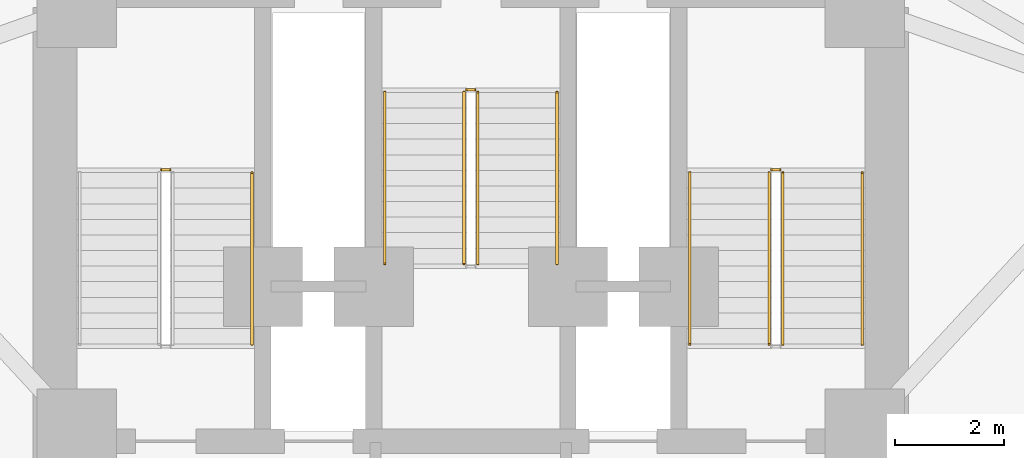
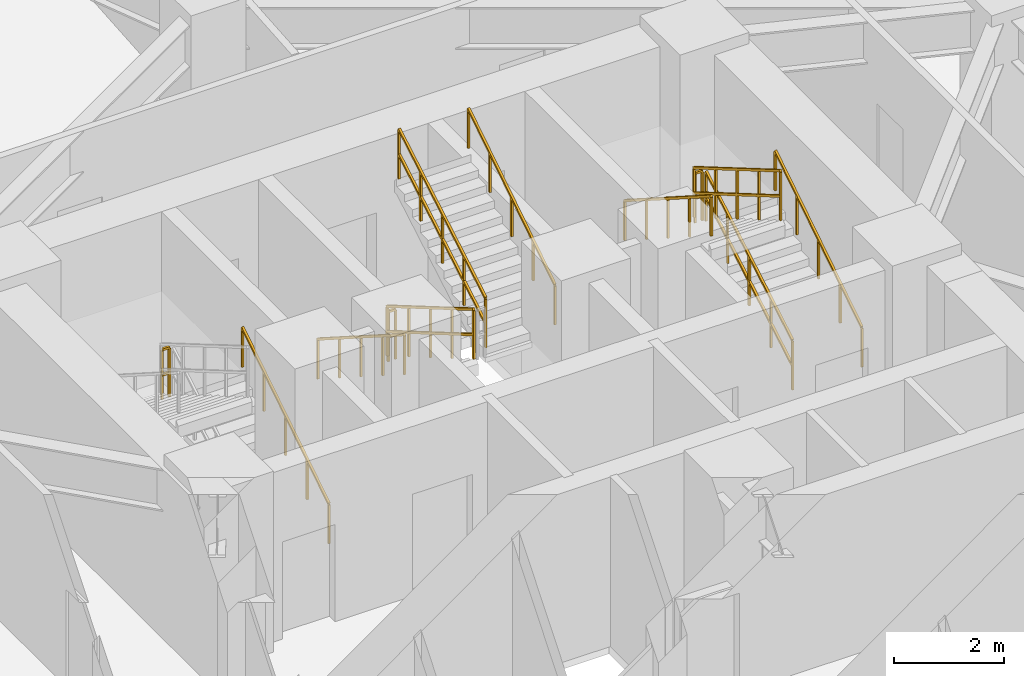
# One storey, part 13 of 14: 12 railings.
"""IFC4 building model written with IfcOpenShell, lengths in metres."""

from ifc_helpers import new_model, si_unit, direction, frame, origin, origin_2d, place, context, subcontext, project, spatial, rectangle, extrude, material, type_object, element, save


model = new_model("IFC4")

# Units and contexts
model_context = context("Model", 3, precision=1e-05, world=origin(), true_north=direction((0.0, 1.0)))
body_context = subcontext(model_context, "Body", "Model", "MODEL_VIEW")
ifc_project = project(units=[si_unit("LENGTHUNIT", "METRE"), si_unit("AREAUNIT", "SQUARE_METRE"), si_unit("VOLUMEUNIT", "CUBIC_METRE"), si_unit("PLANEANGLEUNIT", "RADIAN"), si_unit("MASSUNIT", "GRAM", prefix="KILO")], contexts=[model_context])

# Site, building, storey
site_placement = place(None, origin())
site = spatial("IfcSite", under=ifc_project, at=site_placement, CompositionType="ELEMENT")
building_placement = place(site_placement, origin())
building = spatial("IfcBuilding", under=site, at=building_placement, Name="Apsidion Concourse Tower", CompositionType="ELEMENT")
storey_placement = place(building_placement, frame((0.0, 0.0, 79.0)))
storey = spatial("IfcBuildingStorey", under=building, at=storey_placement, Name="L17", CompositionType="ELEMENT", Elevation=79.0)

# Railings
ifc_material = material(Name="Brushed stainless steel 316", Category="steel")
railing_type_1 = type_object("IfcRailingType", Name="RL-GUARD-1100", PredefinedType="GUARDRAIL", material=ifc_material)
railing_1_placement = place(storey_placement, frame((-5.5, 6.18505859375, 2.0)))
element("IfcRailing", 1, at=railing_1_placement, inside=storey, type_object=railing_type_1, Name="L17 ST1 stair guard 2", PredefinedType="GUARDRAIL", context=body_context, shape_type="SweptSolid", body=[
    extrude(rectangle(XDim=0.048095703125, YDim=0.048095703125, at=origin_2d()), frame((0.0, 0.0, 1.09619140625), z_axis=(-1.0, 0.0, 0.0), x_axis=(0.0, -1.0, 0.0)), (0.0, 0.0, 1.0), 0.14990234375),
    extrude(rectangle(XDim=0.048095703125, YDim=0.048095703125, at=origin_2d()), frame((0.0, 0.0, 0.5361328125), z_axis=(-1.0, 0.0, 0.0), x_axis=(0.0, -1.0, 0.0)), (0.0, 0.0, 1.0), 0.14990234375),
    extrude(rectangle(XDim=0.0419921875, YDim=0.0419921875, at=origin_2d()), origin(), (0.0, 0.0, 1.0), 1.072021484375),
    extrude(rectangle(XDim=0.0419921875, YDim=0.0419921875, at=origin_2d()), frame((-0.14990234375, 0.0, 0.0)), (0.0, 0.0, 1.0), 1.072021484375),
])
railing_2_placement = place(storey_placement, frame((5.699951171875, 3.0, 0.166748046875)))
element("IfcRailing", 2, at=railing_2_placement, inside=storey, type_object=railing_type_1, Name="L17 ST2 stair guard 1", PredefinedType="GUARDRAIL", context=body_context, shape_type="SweptSolid", body=[
    extrude(rectangle(XDim=0.048095703125, YDim=0.048095703125, at=origin_2d()), frame((0.0, 0.0, 1.09619140625), z_axis=(0.0, 0.863239559939, 0.504794475164), x_axis=(-1.0, 0.0, 0.0)), (0.0, 0.0, 1.0), 3.631591796875),
    extrude(rectangle(XDim=0.048095703125, YDim=0.048095703125, at=origin_2d()), frame((0.0, 0.0, 0.5361328125), z_axis=(0.0, 0.863239559939, 0.504794475164), x_axis=(-1.0, 0.0, 0.0)), (0.0, 0.0, 1.0), 3.631591796875),
    extrude(rectangle(XDim=0.0419921875, YDim=0.0419921875, at=origin_2d()), origin(), (0.0, 0.0, 1.0), 1.072021484375),
    extrude(rectangle(XDim=0.0419921875, YDim=0.0419921875, at=origin_2d()), frame((0.0, 0.78369140625, 0.458251953125)), (0.0, 0.0, 1.0), 1.072021484375),
    extrude(rectangle(XDim=0.0419921875, YDim=0.0419921875, at=origin_2d()), frame((0.0, 1.5673828125, 0.91650390625)), (0.0, 0.0, 1.0), 1.072021484375),
    extrude(rectangle(XDim=0.0419921875, YDim=0.0419921875, at=origin_2d()), frame((0.0, 2.351318359375, 1.375)), (0.0, 0.0, 1.0), 1.072021484375),
    extrude(rectangle(XDim=0.0419921875, YDim=0.0419921875, at=origin_2d()), frame((0.0, 3.135009765625, 1.833251953125)), (0.0, 0.0, 1.0), 1.072021484375),
])
railing_3_placement = place(storey_placement, frame((5.64990234375, 6.18505859375, 2.0)))
element("IfcRailing", 3, at=railing_3_placement, inside=storey, type_object=railing_type_1, Name="L17 ST2 stair guard 2", PredefinedType="GUARDRAIL", context=body_context, shape_type="SweptSolid", body=[
    extrude(rectangle(XDim=0.048095703125, YDim=0.048095703125, at=origin_2d()), frame((0.0, 0.0, 1.09619140625), z_axis=(-1.0, 0.0, 0.0), x_axis=(0.0, -1.0, 0.0)), (0.0, 0.0, 1.0), 0.14990234375),
    extrude(rectangle(XDim=0.048095703125, YDim=0.048095703125, at=origin_2d()), frame((0.0, 0.0, 0.5361328125), z_axis=(-1.0, 0.0, 0.0), x_axis=(0.0, -1.0, 0.0)), (0.0, 0.0, 1.0), 0.14990234375),
    extrude(rectangle(XDim=0.0419921875, YDim=0.0419921875, at=origin_2d()), origin(), (0.0, 0.0, 1.0), 1.072021484375),
    extrude(rectangle(XDim=0.0419921875, YDim=0.0419921875, at=origin_2d()), frame((-0.14990234375, 0.0, 0.0)), (0.0, 0.0, 1.0), 1.072021484375),
])
for number, where, name in (
    (4, (5.449951171875, 6.135009765625, 2.166748046875), "L17 ST2 stair guard 3"),
    (5, (-0.125, 7.60009765625, 0.166748046875), "L17 ST3 stair guard 1"),
):
    element("IfcRailing", number, at=place(storey_placement, frame(where)), inside=storey, type_object=railing_type_1, Name=name, PredefinedType="GUARDRAIL", context=body_context, shape_type="SweptSolid", body=[
        extrude(rectangle(XDim=0.048095703125, YDim=0.048095703125, at=origin_2d()), frame((0.0, 0.0, 1.09619140625), z_axis=(0.0, -0.863239559939, 0.504794475164), x_axis=(1.0, 0.0, 0.0)), (0.0, 0.0, 1.0), 3.631591796875),
        extrude(rectangle(XDim=0.048095703125, YDim=0.048095703125, at=origin_2d()), frame((0.0, 0.0, 0.5361328125), z_axis=(0.0, -0.863239559939, 0.504794475164), x_axis=(1.0, 0.0, 0.0)), (0.0, 0.0, 1.0), 3.631591796875),
        extrude(rectangle(XDim=0.0419921875, YDim=0.0419921875, at=origin_2d()), origin(), (0.0, 0.0, 1.0), 1.072021484375),
        extrude(rectangle(XDim=0.0419921875, YDim=0.0419921875, at=origin_2d()), frame((0.0, -0.78369140625, 0.458251953125)), (0.0, 0.0, 1.0), 1.072021484375),
        extrude(rectangle(XDim=0.0419921875, YDim=0.0419921875, at=origin_2d()), frame((0.0, -1.5673828125, 0.91650390625)), (0.0, 0.0, 1.0), 1.072021484375),
        extrude(rectangle(XDim=0.0419921875, YDim=0.0419921875, at=origin_2d()), frame((0.0, -2.351318359375, 1.375)), (0.0, 0.0, 1.0), 1.072021484375),
        extrude(rectangle(XDim=0.0419921875, YDim=0.0419921875, at=origin_2d()), frame((0.0, -3.135009765625, 1.833251953125)), (0.0, 0.0, 1.0), 1.072021484375),
    ])
railing_4_placement = place(storey_placement, frame((0.125, 4.465087890625, 2.166748046875)))
element("IfcRailing", 6, at=railing_4_placement, inside=storey, type_object=railing_type_1, Name="L17 ST3 stair guard 3", PredefinedType="GUARDRAIL", context=body_context, shape_type="SweptSolid", body=[
    extrude(rectangle(XDim=0.048095703125, YDim=0.048095703125, at=origin_2d()), frame((0.0, 0.0, 1.09619140625), z_axis=(0.0, 0.863239559939, 0.504794475164), x_axis=(-1.0, 0.0, 0.0)), (0.0, 0.0, 1.0), 3.631591796875),
    extrude(rectangle(XDim=0.048095703125, YDim=0.048095703125, at=origin_2d()), frame((0.0, 0.0, 0.5361328125), z_axis=(0.0, 0.863239559939, 0.504794475164), x_axis=(-1.0, 0.0, 0.0)), (0.0, 0.0, 1.0), 3.631591796875),
    extrude(rectangle(XDim=0.0419921875, YDim=0.0419921875, at=origin_2d()), origin(), (0.0, 0.0, 1.0), 1.072021484375),
    extrude(rectangle(XDim=0.0419921875, YDim=0.0419921875, at=origin_2d()), frame((0.0, 0.78369140625, 0.458251953125)), (0.0, 0.0, 1.0), 1.072021484375),
    extrude(rectangle(XDim=0.0419921875, YDim=0.0419921875, at=origin_2d()), frame((0.0, 1.5673828125, 0.91650390625)), (0.0, 0.0, 1.0), 1.072021484375),
    extrude(rectangle(XDim=0.0419921875, YDim=0.0419921875, at=origin_2d()), frame((0.0, 2.351318359375, 1.375)), (0.0, 0.0, 1.0), 1.072021484375),
    extrude(rectangle(XDim=0.0419921875, YDim=0.0419921875, at=origin_2d()), frame((0.0, 3.135009765625, 1.833251953125)), (0.0, 0.0, 1.0), 1.072021484375),
])
railing_5_placement = place(storey_placement, frame((-0.074951171875, 7.64990234375, 0.0)))
element("IfcRailing", 7, at=railing_5_placement, inside=storey, type_object=railing_type_1, Name="L17 ST3 stair guard 4", PredefinedType="GUARDRAIL", context=body_context, shape_type="SweptSolid", body=[
    extrude(rectangle(XDim=0.048095703125, YDim=0.048095703125, at=origin_2d()), frame((0.0, 0.0, 1.09619140625), z_axis=(1.0, 0.0, 0.0), x_axis=(0.0, 1.0, 0.0)), (0.0, 0.0, 1.0), 0.14990234375),
    extrude(rectangle(XDim=0.048095703125, YDim=0.048095703125, at=origin_2d()), frame((0.0, 0.0, 0.5361328125), z_axis=(1.0, 0.0, 0.0), x_axis=(0.0, 1.0, 0.0)), (0.0, 0.0, 1.0), 0.14990234375),
    extrude(rectangle(XDim=0.0419921875, YDim=0.0419921875, at=origin_2d()), origin(), (0.0, 0.0, 1.0), 1.072021484375),
    extrude(rectangle(XDim=0.0419921875, YDim=0.0419921875, at=origin_2d()), frame((0.14990234375, 0.0, 0.0)), (0.0, 0.0, 1.0), 1.072021484375),
])
railing_type_2 = type_object("IfcRailingType", Name="RL-HAND-900", PredefinedType="HANDRAIL", material=ifc_material)
for number, where, name in (
    (8, (-4.0, 3.0, 0.166748046875), "L17 ST1 stair handrail 1"),
    (9, (7.14990234375, 3.0, 0.166748046875), "L17 ST2 stair handrail 1"),
):
    element("IfcRailing", number, at=place(storey_placement, frame(where)), inside=storey, type_object=railing_type_2, Name=name, PredefinedType="HANDRAIL", context=body_context, shape_type="SweptSolid", body=[
        extrude(rectangle(XDim=0.048095703125, YDim=0.048095703125, at=origin_2d()), frame((0.0, 0.0, 0.8759765625), z_axis=(0.0, 0.843052688722, 0.537830980921), x_axis=(-1.0, 0.0, 0.0)), (0.0, 0.0, 1.0), 3.71875),
        extrude(rectangle(XDim=0.0419921875, YDim=0.0419921875, at=origin_2d()), origin(), (0.0, 0.0, 1.0), 0.851806640625),
        extrude(rectangle(XDim=0.0419921875, YDim=0.0419921875, at=origin_2d()), frame((0.0, 0.78369140625, 0.5)), (0.0, 0.0, 1.0), 0.851806640625),
        extrude(rectangle(XDim=0.0419921875, YDim=0.0419921875, at=origin_2d()), frame((0.0, 1.5673828125, 1.0)), (0.0, 0.0, 1.0), 0.851806640625),
        extrude(rectangle(XDim=0.0419921875, YDim=0.0419921875, at=origin_2d()), frame((0.0, 2.351318359375, 1.5)), (0.0, 0.0, 1.0), 0.851806640625),
        extrude(rectangle(XDim=0.0419921875, YDim=0.0419921875, at=origin_2d()), frame((0.0, 3.135009765625, 2.0)), (0.0, 0.0, 1.0), 0.851806640625),
    ])
for number, where, name in (
    (10, (4.0, 6.135009765625, 2.166748046875), "L17 ST2 stair handrail 2"),
    (11, (-1.574951171875, 7.60009765625, 0.166748046875), "L17 ST3 stair handrail 1"),
):
    element("IfcRailing", number, at=place(storey_placement, frame(where)), inside=storey, type_object=railing_type_2, Name=name, PredefinedType="HANDRAIL", context=body_context, shape_type="SweptSolid", body=[
        extrude(rectangle(XDim=0.048095703125, YDim=0.048095703125, at=origin_2d()), frame((0.0, 0.0, 0.8759765625), z_axis=(0.0, -0.843052688722, 0.537830980921), x_axis=(1.0, 0.0, 0.0)), (0.0, 0.0, 1.0), 3.71875),
        extrude(rectangle(XDim=0.0419921875, YDim=0.0419921875, at=origin_2d()), origin(), (0.0, 0.0, 1.0), 0.851806640625),
        extrude(rectangle(XDim=0.0419921875, YDim=0.0419921875, at=origin_2d()), frame((0.0, -0.78369140625, 0.5)), (0.0, 0.0, 1.0), 0.851806640625),
        extrude(rectangle(XDim=0.0419921875, YDim=0.0419921875, at=origin_2d()), frame((0.0, -1.5673828125, 1.0)), (0.0, 0.0, 1.0), 0.851806640625),
        extrude(rectangle(XDim=0.0419921875, YDim=0.0419921875, at=origin_2d()), frame((0.0, -2.351318359375, 1.5)), (0.0, 0.0, 1.0), 0.851806640625),
        extrude(rectangle(XDim=0.0419921875, YDim=0.0419921875, at=origin_2d()), frame((0.0, -3.135009765625, 2.0)), (0.0, 0.0, 1.0), 0.851806640625),
    ])
railing_6_placement = place(storey_placement, frame((1.574951171875, 4.465087890625, 2.166748046875)))
element("IfcRailing", 12, at=railing_6_placement, inside=storey, type_object=railing_type_2, Name="L17 ST3 stair handrail 2", PredefinedType="HANDRAIL", context=body_context, shape_type="SweptSolid", body=[
    extrude(rectangle(XDim=0.048095703125, YDim=0.048095703125, at=origin_2d()), frame((0.0, 0.0, 0.8759765625), z_axis=(0.0, 0.843052688722, 0.537830980921), x_axis=(-1.0, 0.0, 0.0)), (0.0, 0.0, 1.0), 3.71875),
    extrude(rectangle(XDim=0.0419921875, YDim=0.0419921875, at=origin_2d()), origin(), (0.0, 0.0, 1.0), 0.851806640625),
    extrude(rectangle(XDim=0.0419921875, YDim=0.0419921875, at=origin_2d()), frame((0.0, 0.78369140625, 0.5)), (0.0, 0.0, 1.0), 0.851806640625),
    extrude(rectangle(XDim=0.0419921875, YDim=0.0419921875, at=origin_2d()), frame((0.0, 1.5673828125, 1.0)), (0.0, 0.0, 1.0), 0.851806640625),
    extrude(rectangle(XDim=0.0419921875, YDim=0.0419921875, at=origin_2d()), frame((0.0, 2.351318359375, 1.5)), (0.0, 0.0, 1.0), 0.851806640625),
    extrude(rectangle(XDim=0.0419921875, YDim=0.0419921875, at=origin_2d()), frame((0.0, 3.135009765625, 2.0)), (0.0, 0.0, 1.0), 0.851806640625),
])

save(model, "model.ifc")
